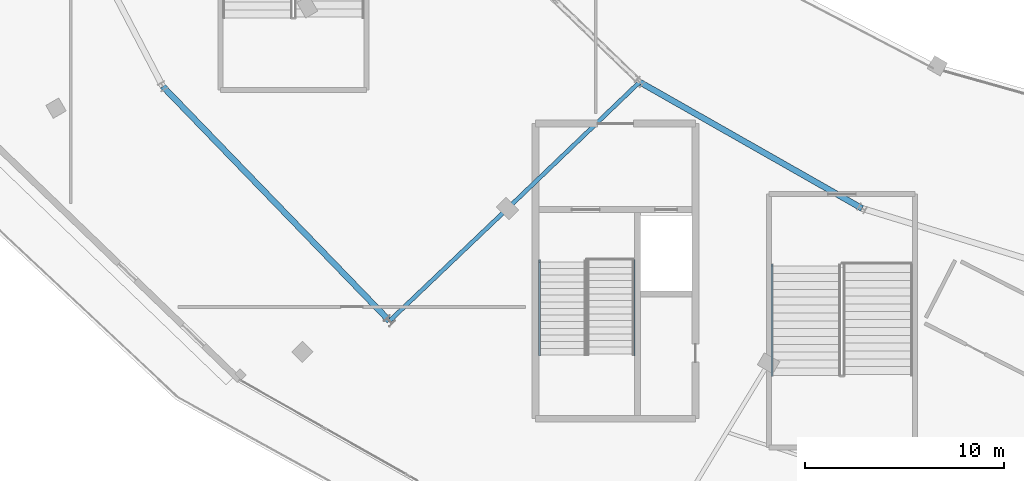
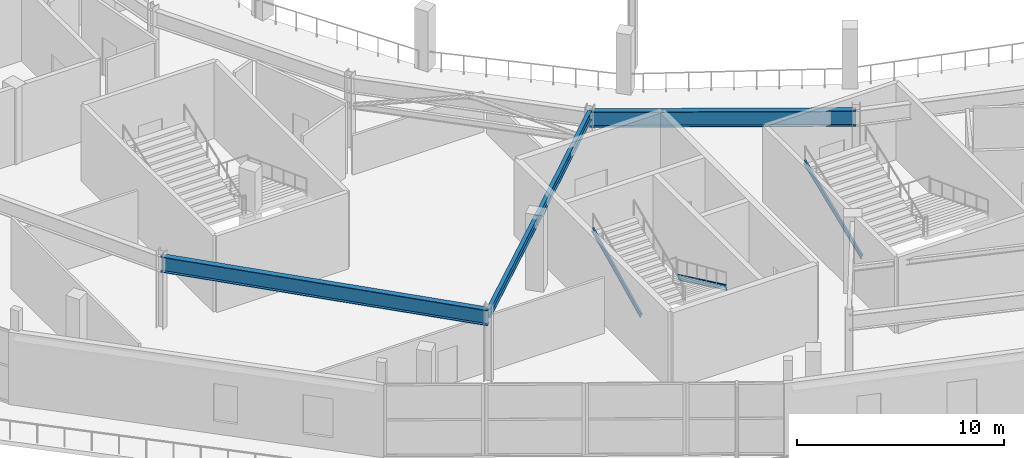
# One storey, part 21 of 123: 4 beams, 3 members.
"""IFC4 building model written with IfcOpenShell, lengths in metres."""

from ifc_helpers import new_model, si_unit, direction, frame, origin, origin_2d, place, context, subcontext, project, spatial, i_section, extrude, material, material_profile, profile_set, type_object, element, save


model = new_model("IFC4")

# Units and contexts
model_context = context("Model", 3, precision=1e-05, world=origin(), true_north=direction((0.0, 1.0)))
body_context = subcontext(model_context, "Body", "Model", "MODEL_VIEW")
ifc_project = project(units=[si_unit("LENGTHUNIT", "METRE"), si_unit("AREAUNIT", "SQUARE_METRE"), si_unit("VOLUMEUNIT", "CUBIC_METRE"), si_unit("PLANEANGLEUNIT", "RADIAN"), si_unit("MASSUNIT", "GRAM", prefix="KILO")], contexts=[model_context])

# Site, building, storey
site_placement = place(None, origin())
site = spatial("IfcSite", under=ifc_project, at=site_placement, CompositionType="ELEMENT")
building_placement = place(site_placement, origin())
building = spatial("IfcBuilding", under=site, at=building_placement, Name="Kalgoora Escarpment Arena", CompositionType="ELEMENT")
storey_placement = place(building_placement, frame((0.0, 0.0, 9.89990234375)))
storey = spatial("IfcBuildingStorey", under=building, at=storey_placement, Name="L02", CompositionType="ELEMENT", Elevation=9.89990234375)

# Beams
ifc_material_1 = material(Name="Structural steel AS/NZS 3679 (300 MPa)", Category="steel")
ifc_material_profile_1 = material_profile(ifc_material_1, i_section(OverallWidth=0.208984375, OverallDepth=0.528076171875, WebThickness=0.009521484375, FlangeThickness=0.01318359375, at=origin_2d()))
ifc_profile_set_1 = profile_set([ifc_material_profile_1], Name="Structural steel AS/NZS 3679 (300 MPa)")
beam_type_1 = type_object("IfcBeamType", Name="BM-GIRDER-530UB82.0", PredefinedType="USERDEFINED", material=ifc_profile_set_1)
beam_1_placement = place(storey_placement, frame((54.21630859375, 35.7158203125, 3.9560546875), z_axis=(-0.722313931554, -0.691565314546, 0.0), x_axis=(0.691565314546, -0.722313931554, 0.0)))
element("IfcBeam", 1, at=beam_1_placement, inside=storey, type_object=beam_type_1, Name="L02 Radial concourse girder 530UB82.0", ObjectType="GIRDER", PredefinedType="USERDEFINED", context=body_context, shape_type="SweptSolid", body=[
    extrude(i_section(OverallWidth=0.208984375, OverallDepth=0.528076171875, WebThickness=0.009521484375, FlangeThickness=0.01318359375, at=origin_2d()), origin(), (0.0, 0.0, 1.0), 9.202392578125),
])
beam_2_placement = place(storey_placement, frame((47.5693359375, 29.351806640625, 3.9560546875), z_axis=(-0.724130144905, -0.689663347757, 0.0), x_axis=(0.689663347757, -0.724130144905, 0.0)))
element("IfcBeam", 2, at=beam_2_placement, inside=storey, type_object=beam_type_1, Name="L02 Radial concourse girder 530UB82.0", ObjectType="GIRDER", PredefinedType="USERDEFINED", context=body_context, shape_type="SweptSolid", body=[
    extrude(i_section(OverallWidth=0.208984375, OverallDepth=0.528076171875, WebThickness=0.009521484375, FlangeThickness=0.01318359375, at=origin_2d()), origin(), (0.0, 0.0, 1.0), 8.20263671875),
])
ifc_material_2 = material(Name="Structural steel Grade 350 (350 MPa)", Category="steel")
ifc_material_profile_2 = material_profile(ifc_material_2, i_section(OverallWidth=0.300048828125, OverallDepth=0.909912109375, WebThickness=0.011962890625, FlangeThickness=0.028076171875, at=origin_2d()))
ifc_profile_set_2 = profile_set([ifc_material_profile_2], Name="Structural steel Grade 350 (350 MPa)")
beam_type_2 = type_object("IfcBeamType", Name="BM-GIRDER-900WB218", PredefinedType="USERDEFINED", material=ifc_profile_set_2)
beam_3_placement = place(storey_placement, frame((54.21630859375, 35.7158203125, 3.76513671875), z_axis=(0.869369098708, -0.494163303182, 0.0), x_axis=(0.494163303182, 0.869369098708, 0.0)))
element("IfcBeam", 3, at=beam_3_placement, inside=storey, type_object=beam_type_2, Name="L02 Circumferential concourse girder RMAIN 900WB218", ObjectType="GIRDER", PredefinedType="USERDEFINED", context=body_context, shape_type="SweptSolid", body=[
    extrude(i_section(OverallWidth=0.300048828125, OverallDepth=0.909912109375, WebThickness=0.011962890625, FlangeThickness=0.028076171875, at=origin_2d()), origin(), (0.0, 0.0, 1.0), 12.864013671875),
])
ifc_material_3 = material(Name="Structural steel Grade 350 (350 MPa)", Category="steel")
ifc_material_profile_3 = material_profile(ifc_material_3, i_section(OverallWidth=0.300048828125, OverallDepth=0.909912109375, WebThickness=0.011962890625, FlangeThickness=0.028076171875, at=origin_2d()))
ifc_profile_set_3 = profile_set([ifc_material_profile_3], Name="Structural steel Grade 350 (350 MPa)")
beam_type_3 = type_object("IfcBeamType", Name="BM-SPANDREL-900WB218", PredefinedType="SPANDREL", material=ifc_profile_set_3)
beam_4_placement = place(storey_placement, frame((30.219482421875, 35.5, 3.76513671875), z_axis=(0.694974435465, -0.719034445663, 0.0), x_axis=(0.719034445663, 0.694974435465, 0.0)))
element("IfcBeam", 4, at=beam_4_placement, inside=storey, type_object=beam_type_3, Name="L02 Circumferential concourse girder RCONC2 900WB218", PredefinedType="SPANDREL", context=body_context, shape_type="SweptSolid", body=[
    extrude(i_section(OverallWidth=0.300048828125, OverallDepth=0.909912109375, WebThickness=0.011962890625, FlangeThickness=0.028076171875, at=origin_2d()), origin(), (0.0, 0.0, 1.0), 16.418212890625),
])

# Members
ifc_material_4 = material(Name="Structural steel AS/NZS 3679 (300 MPa)", Category="steel")
ifc_material_profile_4 = material_profile(ifc_material_4, i_section(OverallWidth=0.090087890625, OverallDepth=0.300048828125, WebThickness=0.008056640625, FlangeThickness=0.01611328125, at=origin_2d()))
ifc_profile_set_4 = profile_set([ifc_material_profile_4], Name="Structural steel AS/NZS 3679 (300 MPa)")
member_type = type_object("IfcMemberType", Name="MEM-STRINGER-PFC", PredefinedType="STRINGER", material=ifc_profile_set_4)
for number, where, z_axis, x_axis, name in (
    (5, (53.929931640625, 26.7099609375, -0.039794921875), (0.0, -0.902682652253, 0.430306901317), (1.0, 0.0, 0.0), "ST05 L02 steel stair stringer 1"),
    (6, (49.169921875, 21.989990234375, 2.210205078125), (0.0, 0.902682652253, 0.430306901317), (-1.0, 0.0, 0.0), "ST05 L02 steel stair stringer 2"),
):
    element("IfcMember", number, at=place(storey_placement, frame(where, z_axis=z_axis, x_axis=x_axis)), inside=storey, type_object=member_type, Name=name, PredefinedType="STRINGER", context=body_context, shape_type="SweptSolid", body=[
        extrude(i_section(OverallWidth=0.090087890625, OverallDepth=0.300048828125, WebThickness=0.008056640625, FlangeThickness=0.01611328125, at=origin_2d()), origin(), (0.0, 0.0, 1.0), 5.228759765625),
    ])
member_placement = place(storey_placement, frame((60.8701171875, 20.949951171875, 2.210205078125), z_axis=(0.0, 0.926975796404, 0.375121144273), x_axis=(-1.0, 0.0, 0.0)))
element("IfcMember", 7, at=member_placement, inside=storey, type_object=member_type, Name="ST13 L02 steel stair stringer 2", PredefinedType="STRINGER", context=body_context, shape_type="SweptSolid", body=[
    extrude(i_section(OverallWidth=0.090087890625, OverallDepth=0.300048828125, WebThickness=0.008056640625, FlangeThickness=0.01611328125, at=origin_2d()), origin(), (0.0, 0.0, 1.0), 5.998046875),
])

save(model, "model.ifc")
